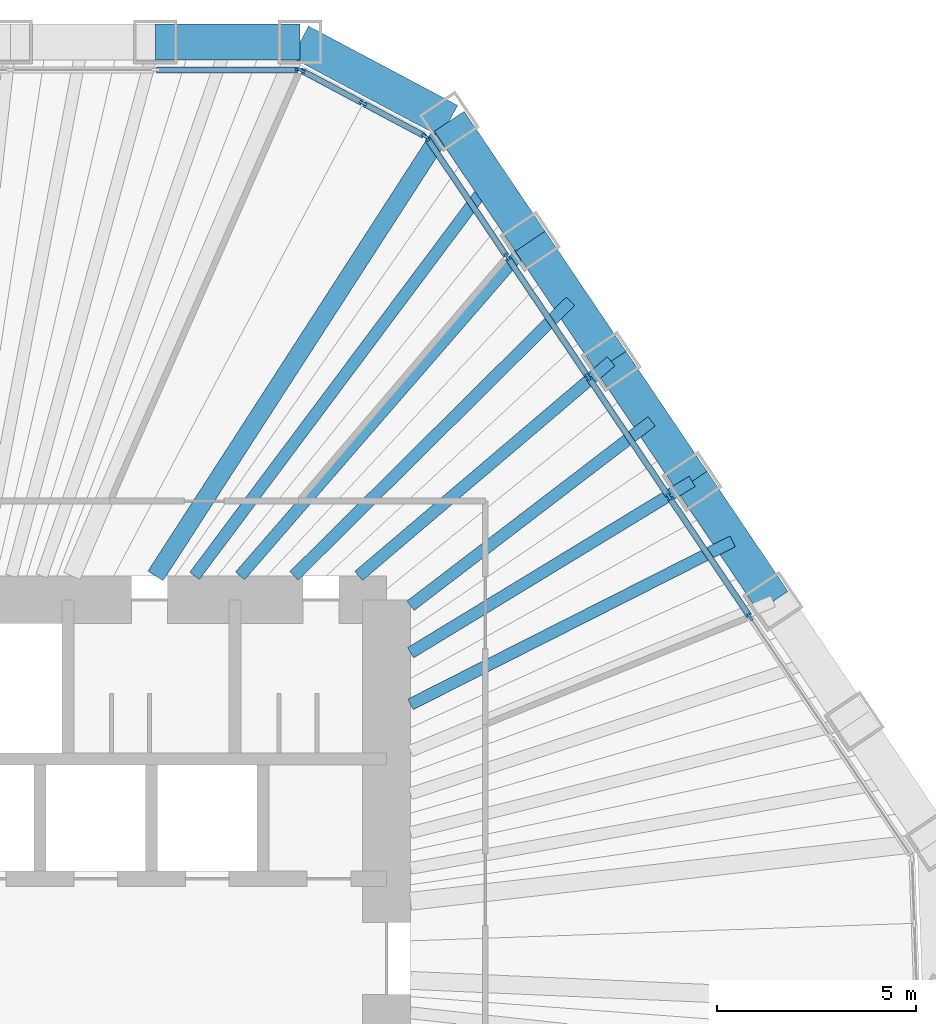
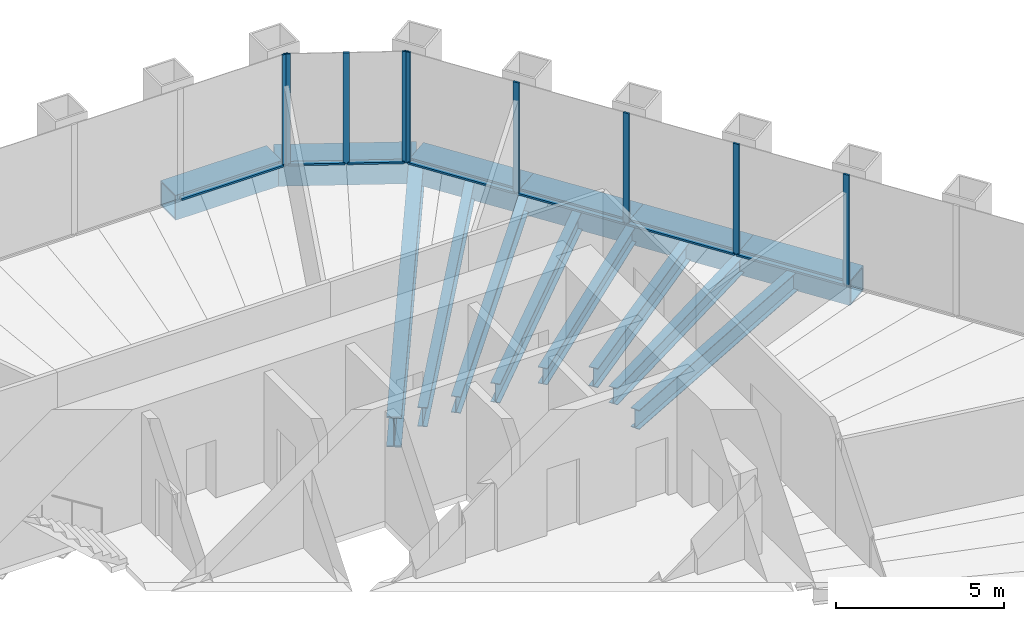
# One storey, part 7 of 13: 16 members, 14 beams, 3 elements without a shape of their own.
"""IFC4 building model written with IfcOpenShell, lengths in metres."""

from ifc_helpers import new_model, si_unit, direction, frame, origin, origin_2d, place, context, subcontext, project, spatial, rectangle, hollow_rectangle, i_section, extrude, material, material_profile, profile_set, type_object, element, aggregate, save


model = new_model("IFC4")

# Units and contexts
model_context = context("Model", 3, precision=1e-05, world=origin(), true_north=direction((0.0, 1.0)))
body_context = subcontext(model_context, "Body", "Model", "MODEL_VIEW")
ifc_project = project(units=[si_unit("LENGTHUNIT", "METRE"), si_unit("AREAUNIT", "SQUARE_METRE"), si_unit("VOLUMEUNIT", "CUBIC_METRE"), si_unit("PLANEANGLEUNIT", "RADIAN"), si_unit("MASSUNIT", "GRAM", prefix="KILO")], contexts=[model_context])

# Site, building, storey
site_placement = place(None, origin())
site = spatial("IfcSite", under=ifc_project, at=site_placement, CompositionType="ELEMENT")
building_placement = place(site_placement, origin())
building = spatial("IfcBuilding", under=site, at=building_placement, Name="Qingtian Harvest Tower", CompositionType="ELEMENT")
storey_placement = place(building_placement, frame((0.0, 0.0, 188.800048828125)))
storey = spatial("IfcBuildingStorey", under=building, at=storey_placement, Name="L40", CompositionType="ELEMENT", Elevation=188.800048828125)

# Beams
ifc_material_1 = material(Name="Steel SM570MC", Category="steel")
ifc_material_profile_1 = material_profile(ifc_material_1, i_section(OverallWidth=0.449951171875, OverallDepth=1.10009765625, WebThickness=0.02197265625, FlangeThickness=0.044921875, at=origin_2d()), Name="H1100x450x22x45")
ifc_profile_set_1 = profile_set([ifc_material_profile_1], Name="Steel SM570MC")
beam_type_1 = type_object("IfcBeamType", Name="Corner floor beam FB8 H1100x450x22x45", PredefinedType="BEAM", material=ifc_profile_set_1)
beam_1_placement = place(storey_placement, frame((13.5712890625, 21.01025390625, -0.719970703125), z_axis=(-0.542593072822, -0.839995688873, 0.0), x_axis=(0.839995688873, -0.542593072822, 0.0)))
element("IfcBeam", 1, at=beam_1_placement, inside=storey, type_object=beam_type_1, Name="Floor beam FB8 NE0", PredefinedType="BEAM", context=body_context, shape_type="SweptSolid", body=[
    extrude(i_section(OverallWidth=0.449951171875, OverallDepth=1.10009765625, WebThickness=0.02197265625, FlangeThickness=0.044921875, at=origin_2d()), origin(), (0.0, 0.0, 1.0), 13.58349609375),
])
ifc_material_2 = material(Name="Steel SN490B", Category="steel")
ifc_material_profile_2 = material_profile(ifc_material_2, i_section(OverallWidth=0.300048828125, OverallDepth=0.60009765625, WebThickness=0.011962890625, FlangeThickness=0.02001953125, at=origin_2d()), Name="H600x300x12x20")
ifc_profile_set_2 = profile_set([ifc_material_profile_2], Name="Steel SN490B")
beam_type_2 = type_object("IfcBeamType", Name="Floor beam FB3 H600x300x12x20", PredefinedType="BEAM", material=ifc_profile_set_2)
beam_2_placement = place(storey_placement, frame((15.603271484375, 17.998046875, -0.469970703125), z_axis=(-0.655048444444, -0.755586881458, 0.0), x_axis=(0.755586881458, -0.655048444444, 0.0)))
element("IfcBeam", 2, at=beam_2_placement, inside=storey, type_object=beam_type_2, Name="Floor beam FB3 NE1", PredefinedType="BEAM", context=body_context, shape_type="SweptSolid", body=[
    extrude(i_section(OverallWidth=0.300048828125, OverallDepth=0.60009765625, WebThickness=0.011962890625, FlangeThickness=0.02001953125, at=origin_2d()), origin(), (0.0, 0.0, 1.0), 11.114501953125),
])
beam_3_placement = place(storey_placement, frame((17.635009765625, 14.985595703125, -0.469970703125), z_axis=(-0.762028398305, -0.647543604846, 0.0), x_axis=(0.647543604846, -0.762028398305, 0.0)))
element("IfcBeam", 3, at=beam_3_placement, inside=storey, type_object=beam_type_2, Name="Floor beam FB3 NE2", PredefinedType="BEAM", context=body_context, shape_type="SweptSolid", body=[
    extrude(i_section(OverallWidth=0.300048828125, OverallDepth=0.60009765625, WebThickness=0.011962890625, FlangeThickness=0.02001953125, at=origin_2d()), origin(), (0.0, 0.0, 1.0), 8.31689453125),
])
beam_4_placement = place(storey_placement, frame((19.6669921875, 11.97314453125, -0.469970703125), z_axis=(-0.854163224424, -0.520004986554, 0.0), x_axis=(0.520004986554, -0.854163224424, 0.0)))
element("IfcBeam", 4, at=beam_4_placement, inside=storey, type_object=beam_type_2, Name="Floor beam FB3 NE3", PredefinedType="BEAM", context=body_context, shape_type="SweptSolid", body=[
    extrude(i_section(OverallWidth=0.300048828125, OverallDepth=0.60009765625, WebThickness=0.011962890625, FlangeThickness=0.02001953125, at=origin_2d()), origin(), (0.0, 0.0, 1.0), 8.2734375),
])
ifc_material_3 = material(Name="Steel SN490B", Category="steel")
ifc_material_profile_3 = material_profile(ifc_material_3, i_section(OverallWidth=0.300048828125, OverallDepth=0.699951171875, WebThickness=0.012939453125, FlangeThickness=0.02392578125, at=origin_2d()), Name="H700x300x13x24")
ifc_profile_set_3 = profile_set([ifc_material_profile_3], Name="Steel SN490B")
beam_type_3 = type_object("IfcBeamType", Name="Floor joist J2 H700x300x13x24", PredefinedType="JOIST", material=ifc_profile_set_3)
beam_5_placement = place(storey_placement, frame((14.58740234375, 19.504150390625, -0.52001953125), z_axis=(-0.598935081494, -0.800797582511, 0.0), x_axis=(0.800797582511, -0.598935081494, 0.0)))
element("IfcBeam", 5, at=beam_5_placement, inside=storey, type_object=beam_type_3, Name="Floor joist J2 NE0", PredefinedType="JOIST", context=body_context, shape_type="SweptSolid", body=[
    extrude(i_section(OverallWidth=0.300048828125, OverallDepth=0.699951171875, WebThickness=0.012939453125, FlangeThickness=0.02392578125, at=origin_2d()), origin(), (0.0, 0.0, 1.0), 12.36767578125),
])
beam_6_placement = place(storey_placement, frame((16.619140625, 16.49169921875, -0.52001953125), z_axis=(-0.709833839663, -0.704369164622, 0.0), x_axis=(0.704369164622, -0.709833839663, 0.0)))
element("IfcBeam", 6, at=beam_6_placement, inside=storey, type_object=beam_type_3, Name="Floor joist J2 NE1", PredefinedType="JOIST", context=body_context, shape_type="SweptSolid", body=[
    extrude(i_section(OverallWidth=0.300048828125, OverallDepth=0.699951171875, WebThickness=0.012939453125, FlangeThickness=0.02392578125, at=origin_2d()), origin(), (0.0, 0.0, 1.0), 9.7841796875),
])
beam_7_placement = place(storey_placement, frame((18.651123046875, 13.4794921875, -0.52001953125), z_axis=(-0.794222288871, -0.607627316585, 0.0), x_axis=(0.607627316585, -0.794222288871, 0.0)))
element("IfcBeam", 7, at=beam_7_placement, inside=storey, type_object=beam_type_3, Name="Floor joist J2 NE2", PredefinedType="JOIST", context=body_context, shape_type="SweptSolid", body=[
    extrude(i_section(OverallWidth=0.300048828125, OverallDepth=0.699951171875, WebThickness=0.012939453125, FlangeThickness=0.02392578125, at=origin_2d()), origin(), (0.0, 0.0, 1.0), 7.618896484375),
])
beam_8_placement = place(storey_placement, frame((20.682861328125, 10.467041015625, -0.52001953125), z_axis=(-0.892244443914, -0.451552712652, 0.0), x_axis=(0.451552712652, -0.892244443914, 0.0)))
element("IfcBeam", 8, at=beam_8_placement, inside=storey, type_object=beam_type_3, Name="Floor joist J2 NE3", PredefinedType="JOIST", context=body_context, shape_type="SweptSolid", body=[
    extrude(i_section(OverallWidth=0.300048828125, OverallDepth=0.699951171875, WebThickness=0.012939453125, FlangeThickness=0.02392578125, at=origin_2d()), origin(), (0.0, 0.0, 1.0), 9.058837890625),
])

# Curtain wall, member
ifc_material_4 = material(Name="Bronze-anodised aluminium curtain wall", Category="aluminium")
curtain_wall_type = type_object("IfcCurtainWallType", Name="Curtain wall CW4 office", PredefinedType="USERDEFINED", material=ifc_material_4)
curtain_wall_1_placement = place(storey_placement, origin())
curtain_wall_1 = element("IfcCurtainWall", 9, at=curtain_wall_1_placement, inside=storey, type_object=curtain_wall_type, Name="Curtain wall CW4 L40 N0-5", ObjectType="RECESSED CURTAIN WALL", PredefinedType="USERDEFINED")
ifc_material_5 = material(Name="Bronze-anodised aluminium mullion", Category="aluminium")
ifc_material_profile_4 = material_profile(ifc_material_5, rectangle(XDim=0.06494140625, YDim=0.199951171875, at=origin_2d()), Name="AL 65x200")
ifc_profile_set_4 = profile_set([ifc_material_profile_4], Name="Bronze-anodised aluminium mullion")
member_type_1 = type_object("IfcMemberType", Name="Mullion CWM 65x200", PredefinedType="MULLION", material=ifc_profile_set_4)
member_1_placement = place(storey_placement, frame((9.796875, 22.300048828125, 0.0), z_axis=(0.0, 0.0, 1.0), x_axis=(0.0, 1.0, 0.0)))
member_1 = element("IfcMember", 10, at=member_1_placement, type_object=member_type_1, Name="CW4 mullion 7", PredefinedType="MULLION", context=body_context, shape_type="SweptSolid", body=[
    extrude(rectangle(XDim=0.06494140625, YDim=0.199951171875, at=origin_2d()), origin(), (0.0, 0.0, 1.0), 4.030029296875),
])

# Curtain wall, members
curtain_wall_2_placement = place(storey_placement, origin())
curtain_wall_2 = element("IfcCurtainWall", 11, at=curtain_wall_2_placement, inside=storey, type_object=curtain_wall_type, Name="Curtain wall CW4 L40 NC", ObjectType="RECESSED CURTAIN WALL", PredefinedType="USERDEFINED")
member_2_placement = place(storey_placement, frame((9.85791015625, 22.28466796875, 0.0), z_axis=(0.0, 0.0, 1.0), x_axis=(0.469471562786, 0.882947592859, 0.0)))
member_2 = element("IfcMember", 12, at=member_2_placement, type_object=member_type_1, Name="CW4 mullion 1", PredefinedType="MULLION", context=body_context, shape_type="SweptSolid", body=[
    extrude(rectangle(XDim=0.06494140625, YDim=0.199951171875, at=origin_2d()), origin(), (0.0, 0.0, 1.0), 4.030029296875),
])
member_3_placement = place(storey_placement, frame((11.41015625, 21.45947265625, 0.0), z_axis=(0.0, 0.0, 1.0), x_axis=(0.469471562786, 0.882947592859, 0.0)))
member_3 = element("IfcMember", 13, at=member_3_placement, type_object=member_type_1, Name="CW4 mullion 2", PredefinedType="MULLION", context=body_context, shape_type="SweptSolid", body=[
    extrude(rectangle(XDim=0.06494140625, YDim=0.199951171875, at=origin_2d()), origin(), (0.0, 0.0, 1.0), 4.030029296875),
])
member_4_placement = place(storey_placement, frame((12.96240234375, 20.634033203125, 0.0), z_axis=(0.0, 0.0, 1.0), x_axis=(0.469471562786, 0.882947592859, 0.0)))
member_4 = element("IfcMember", 14, at=member_4_placement, type_object=member_type_1, Name="CW4 mullion 3", PredefinedType="MULLION", context=body_context, shape_type="SweptSolid", body=[
    extrude(rectangle(XDim=0.06494140625, YDim=0.199951171875, at=origin_2d()), origin(), (0.0, 0.0, 1.0), 4.030029296875),
])

curtain_wall_3_placement = place(storey_placement, origin())
curtain_wall_3 = element("IfcCurtainWall", 15, at=curtain_wall_3_placement, inside=storey, type_object=curtain_wall_type, Name="Curtain wall CW4 L40 NE0-5", ObjectType="RECESSED CURTAIN WALL", PredefinedType="USERDEFINED")
member_5_placement = place(storey_placement, frame((13.00927734375, 20.592041015625, 0.0), z_axis=(0.0, 0.0, 1.0), x_axis=(0.829037572555, 0.559192903471, 0.0)))
member_5 = element("IfcMember", 16, at=member_5_placement, type_object=member_type_1, Name="CW4 mullion 1", PredefinedType="MULLION", context=body_context, shape_type="SweptSolid", body=[
    extrude(rectangle(XDim=0.06494140625, YDim=0.199951171875, at=origin_2d()), origin(), (0.0, 0.0, 1.0), 4.030029296875),
])
member_6_placement = place(storey_placement, frame((15.02294921875, 17.6064453125, 0.0), z_axis=(0.0, 0.0, 1.0), x_axis=(0.829037572555, 0.559192903471, 0.0)))
member_6 = element("IfcMember", 17, at=member_6_placement, type_object=member_type_1, Name="CW4 mullion 2", PredefinedType="MULLION", context=body_context, shape_type="SweptSolid", body=[
    extrude(rectangle(XDim=0.06494140625, YDim=0.199951171875, at=origin_2d()), origin(), (0.0, 0.0, 1.0), 4.030029296875),
])
member_7_placement = place(storey_placement, frame((17.0546875, 14.59423828125, 0.0), z_axis=(0.0, 0.0, 1.0), x_axis=(0.829037572555, 0.559192903471, 0.0)))
member_7 = element("IfcMember", 18, at=member_7_placement, type_object=member_type_1, Name="CW4 mullion 3", PredefinedType="MULLION", context=body_context, shape_type="SweptSolid", body=[
    extrude(rectangle(XDim=0.06494140625, YDim=0.199951171875, at=origin_2d()), origin(), (0.0, 0.0, 1.0), 4.030029296875),
])
member_8_placement = place(storey_placement, frame((19.086669921875, 11.581787109375, 0.0), z_axis=(0.0, 0.0, 1.0), x_axis=(0.829037572555, 0.559192903471, 0.0)))
member_8 = element("IfcMember", 19, at=member_8_placement, type_object=member_type_1, Name="CW4 mullion 4", PredefinedType="MULLION", context=body_context, shape_type="SweptSolid", body=[
    extrude(rectangle(XDim=0.06494140625, YDim=0.199951171875, at=origin_2d()), origin(), (0.0, 0.0, 1.0), 4.030029296875),
])
member_9_placement = place(storey_placement, frame((21.118408203125, 8.569580078125, 0.0), z_axis=(0.0, 0.0, 1.0), x_axis=(0.829037572555, 0.559192903471, 0.0)))
member_9 = element("IfcMember", 20, at=member_9_placement, type_object=member_type_1, Name="CW4 mullion 5", PredefinedType="MULLION", context=body_context, shape_type="SweptSolid", body=[
    extrude(rectangle(XDim=0.06494140625, YDim=0.199951171875, at=origin_2d()), origin(), (0.0, 0.0, 1.0), 4.030029296875),
])

# Beams
ifc_material_6 = material(Name="Steel SM570MC", Category="steel")
ifc_material_profile_5 = material_profile(ifc_material_6, hollow_rectangle(XDim=0.89990234375, YDim=0.89990234375, WallThickness=0.050048828125, at=origin_2d()), Name="BOX900x900x50")
ifc_profile_set_5 = profile_set([ifc_material_profile_5], Name="Steel SM570MC")
beam_type_4 = type_object("IfcBeamType", Name="Transition spandrel SB6 BOX900x900x50", PredefinedType="SPANDREL", material=ifc_profile_set_5)
beam_9_placement = place(storey_placement, frame((6.19580078125, 23.0, -0.449951171875), z_axis=(1.0, 0.0, 0.0), x_axis=(0.0, 1.0, 0.0)))
element("IfcBeam", 21, at=beam_9_placement, inside=storey, type_object=beam_type_4, Name="Spandrel SB6 N5", PredefinedType="SPANDREL", context=body_context, shape_type="SweptSolid", body=[
    extrude(hollow_rectangle(XDim=0.89990234375, YDim=0.89990234375, WallThickness=0.050048828125, at=origin_2d()), origin(), (0.0, 0.0, 1.0), 3.633544921875),
])
beam_10_placement = place(storey_placement, frame((9.829345703125, 23.0, -0.449951171875), z_axis=(0.882935902835, -0.469493547863, 0.0), x_axis=(0.469493547863, 0.882935902835, 0.0)))
element("IfcBeam", 22, at=beam_10_placement, inside=storey, type_object=beam_type_4, Name="Spandrel SB6 NC", PredefinedType="SPANDREL", context=body_context, shape_type="SweptSolid", body=[
    extrude(hollow_rectangle(XDim=0.89990234375, YDim=0.89990234375, WallThickness=0.050048828125, at=origin_2d()), origin(), (0.0, 0.0, 1.0), 4.238037109375),
])
for number, where, z_axis, x_axis, name in (
    (23, (13.5712890625, 21.01025390625, -0.449951171875), (0.559235108412, -0.829009103399, 0.0), (0.829009103399, 0.559235108412, 0.0), "Spandrel SB6 NE0"),
    (24, (15.603271484375, 17.998046875, -0.449951171875), (0.55915777886, -0.829061263321, 0.0), (0.829061263321, 0.55915777886, 0.0), "Spandrel SB6 NE1"),
):
    element("IfcBeam", number, at=place(storey_placement, frame(where, z_axis=z_axis, x_axis=x_axis)), inside=storey, type_object=beam_type_4, Name=name, PredefinedType="SPANDREL", context=body_context, shape_type="SweptSolid", body=[
        extrude(hollow_rectangle(XDim=0.89990234375, YDim=0.89990234375, WallThickness=0.050048828125, at=origin_2d()), origin(), (0.0, 0.0, 1.0), 3.633544921875),
    ])
beam_11_placement = place(storey_placement, frame((17.635009765625, 14.985595703125, -0.449951171875), z_axis=(0.55920395902, -0.829030115385, 0.0), x_axis=(0.829030115385, 0.55920395902, 0.0)))
element("IfcBeam", 25, at=beam_11_placement, inside=storey, type_object=beam_type_4, Name="Spandrel SB6 NE2", PredefinedType="SPANDREL", context=body_context, shape_type="SweptSolid", body=[
    extrude(hollow_rectangle(XDim=0.89990234375, YDim=0.89990234375, WallThickness=0.050048828125, at=origin_2d()), origin(), (0.0, 0.0, 1.0), 3.6337890625),
])
beam_12_placement = place(storey_placement, frame((19.6669921875, 11.97314453125, -0.449951171875), z_axis=(0.559188928021, -0.829040254016, 0.0), x_axis=(0.829040254016, 0.559188928021, 0.0)))
element("IfcBeam", 26, at=beam_12_placement, inside=storey, type_object=beam_type_4, Name="Spandrel SB6 NE3", PredefinedType="SPANDREL", context=body_context, shape_type="SweptSolid", body=[
    extrude(hollow_rectangle(XDim=0.89990234375, YDim=0.89990234375, WallThickness=0.050048828125, at=origin_2d()), origin(), (0.0, 0.0, 1.0), 3.63330078125),
])

# Member
ifc_material_7 = material(Name="Bronze-anodised aluminium transom", Category="aluminium")
ifc_material_profile_6 = material_profile(ifc_material_7, rectangle(XDim=0.14990234375, YDim=0.06494140625, at=origin_2d()), Name="AL 65x150")
ifc_profile_set_6 = profile_set([ifc_material_profile_6], Name="Bronze-anodised aluminium transom")
member_type_2 = type_object("IfcMemberType", Name="Transom CWT 65x150", PredefinedType="USERDEFINED", material=ifc_profile_set_6)
member_10_placement = place(storey_placement, frame((6.228271484375, 22.300048828125, 0.032470703125), z_axis=(1.0, 0.0, 0.0), x_axis=(0.0, 1.0, 0.0)))
member_10 = element("IfcMember", 27, at=member_10_placement, type_object=member_type_2, Name="CW4 transom 6.1", ObjectType="TRANSOM", PredefinedType="USERDEFINED", context=body_context, shape_type="SweptSolid", body=[
    extrude(rectangle(XDim=0.14990234375, YDim=0.06494140625, at=origin_2d()), origin(), (0.0, 0.0, 1.0), 3.5361328125),
])

aggregate(curtain_wall_1, [member_1, member_10])

member_11_placement = place(storey_placement, frame((9.88671875, 22.26953125, 0.032470703125), z_axis=(0.882927080927, -0.469510138086, 0.0), x_axis=(0.469510138086, 0.882927080927, 0.0)))
member_11 = element("IfcMember", 28, at=member_11_placement, type_object=member_type_2, Name="CW4 transom 1.1", ObjectType="TRANSOM", PredefinedType="USERDEFINED", context=body_context, shape_type="SweptSolid", body=[
    extrude(rectangle(XDim=0.14990234375, YDim=0.06494140625, at=origin_2d()), origin(), (0.0, 0.0, 1.0), 1.693115234375),
])

member_12_placement = place(storey_placement, frame((11.43896484375, 21.444091796875, 0.032470703125), z_axis=(0.882955074232, -0.469457492098, 0.0), x_axis=(0.469457492098, 0.882955074232, 0.0)))
member_12 = element("IfcMember", 29, at=member_12_placement, type_object=member_type_2, Name="CW4 transom 2.1", ObjectType="TRANSOM", PredefinedType="USERDEFINED", context=body_context, shape_type="SweptSolid", body=[
    extrude(rectangle(XDim=0.14990234375, YDim=0.06494140625, at=origin_2d()), origin(), (0.0, 0.0, 1.0), 1.69287109375),
])

aggregate(curtain_wall_2, [member_2, member_3, member_4, member_11, member_12])

member_13_placement = place(storey_placement, frame((13.02734375, 20.56494140625, 0.032470703125), z_axis=(0.559201266891, -0.829031931295, 0.0), x_axis=(0.829031931295, 0.559201266891, 0.0)))
member_13 = element("IfcMember", 30, at=member_13_placement, type_object=member_type_2, Name="CW4 transom 1.1", ObjectType="TRANSOM", PredefinedType="USERDEFINED", context=body_context, shape_type="SweptSolid", body=[
    extrude(rectangle(XDim=0.14990234375, YDim=0.06494140625, at=origin_2d()), origin(), (0.0, 0.0, 1.0), 3.535888671875),
])

member_14_placement = place(storey_placement, frame((15.041015625, 17.57958984375, 0.032470703125), z_axis=(0.559207281901, -0.829027874, 0.0), x_axis=(0.829027874, 0.559207281901, 0.0)))
member_14 = element("IfcMember", 31, at=member_14_placement, type_object=member_type_2, Name="CW4 transom 2.1", ObjectType="TRANSOM", PredefinedType="USERDEFINED", context=body_context, shape_type="SweptSolid", body=[
    extrude(rectangle(XDim=0.14990234375, YDim=0.06494140625, at=origin_2d()), origin(), (0.0, 0.0, 1.0), 3.568603515625),
])

member_15_placement = place(storey_placement, frame((17.072998046875, 14.567138671875, 0.032470703125), z_axis=(0.559191977147, -0.829038197368, 0.0), x_axis=(0.829038197368, 0.559191977147, 0.0)))
member_15 = element("IfcMember", 32, at=member_15_placement, type_object=member_type_2, Name="CW4 transom 3.1", ObjectType="TRANSOM", PredefinedType="USERDEFINED", context=body_context, shape_type="SweptSolid", body=[
    extrude(rectangle(XDim=0.14990234375, YDim=0.06494140625, at=origin_2d()), origin(), (0.0, 0.0, 1.0), 3.568359375),
])

member_16_placement = place(storey_placement, frame((19.104736328125, 11.554931640625, 0.032470703125), z_axis=(0.559207281901, -0.829027874, 0.0), x_axis=(0.829027874, 0.559207281901, 0.0)))
member_16 = element("IfcMember", 33, at=member_16_placement, type_object=member_type_2, Name="CW4 transom 4.1", ObjectType="TRANSOM", PredefinedType="USERDEFINED", context=body_context, shape_type="SweptSolid", body=[
    extrude(rectangle(XDim=0.14990234375, YDim=0.06494140625, at=origin_2d()), origin(), (0.0, 0.0, 1.0), 3.568603515625),
])

aggregate(curtain_wall_3, [member_5, member_6, member_7, member_8, member_9, member_13, member_14, member_15, member_16])

save(model, "model.ifc")
